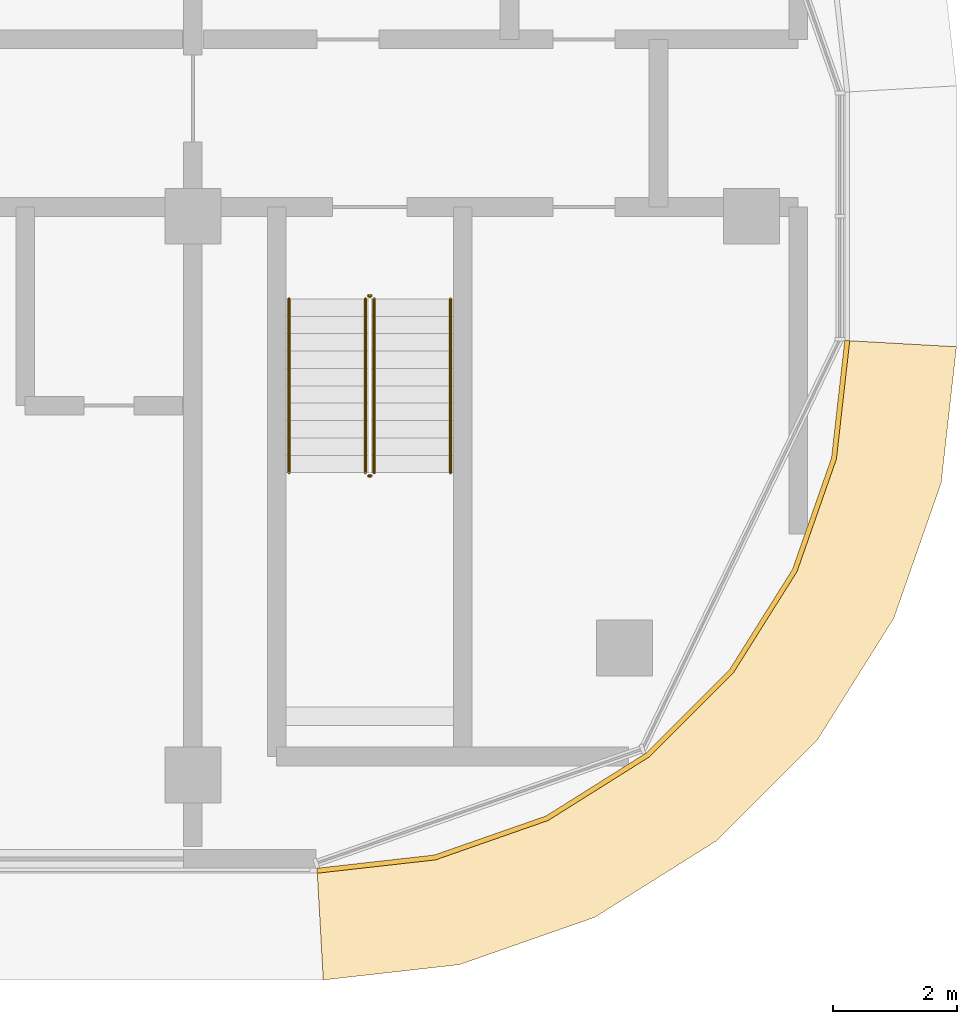
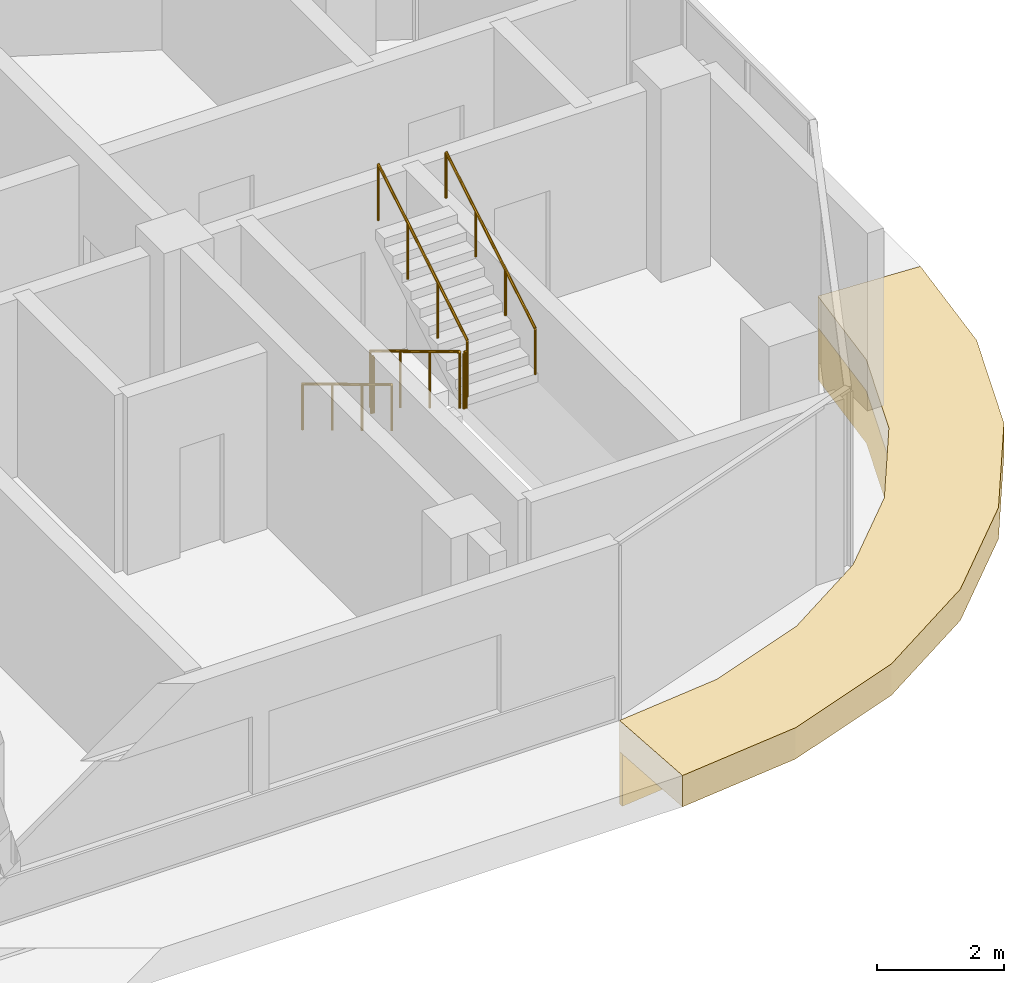
# One storey, part 20 of 21: 6 railings, 2 coverings.
"""IFC4 building model written with IfcOpenShell, lengths in metres."""

import ifcopenshell
import ifcopenshell.guid

model = None  # the IFC model being written
_history = None  # IfcOwnerHistory: only IFC2X3 demands one
_inside = {}  # id of a spatial element -> (the spatial element, [elements in it])
_under = {}  # id of a project, library or spatial element -> (it, [spatial elements below it])
_declared = {}  # id of a project -> (the project, [libraries it declares])
_typed = {}  # id of a type object -> (the type object, [elements of that type])
_made_of = {}  # id of a material, layer set ... -> (it, [elements and type objects made of it])


def new_model(schema):
    """Start an empty IFC model of exactly this schema.

    Asked for "IFC4X3", IfcOpenShell would pick the latest addendum, in which some entities
    have other attributes; the version numbers below select the first issue.
    IFC2X3 requires an IfcOwnerHistory on every rooted entity: one is made here for all.
    """
    global model, _history
    if schema == "IFC4X3":
        model = ifcopenshell.file(schema_version=(4, 3, 0, 0))
    else:
        model = ifcopenshell.file(schema=schema)
    _inside.clear()
    _under.clear()
    _declared.clear()
    _typed.clear()
    _made_of.clear()
    _history = None
    if model.schema == "IFC2X3":
        org = make("IfcOrganization", Name="unknown")
        user = make(
            "IfcPersonAndOrganization",
            ThePerson=make("IfcPerson", FamilyName="unknown"),
            TheOrganization=org,
        )
        app = make(
            "IfcApplication",
            ApplicationDeveloper=org,
            Version="unknown",
            ApplicationFullName="unknown",
            ApplicationIdentifier="unknown",
        )
        _history = make(
            "IfcOwnerHistory",
            OwningUser=user,
            OwningApplication=app,
            ChangeAction="ADDED",
            CreationDate=0,
        )
    return model


def make(cls, **values):
    """One entity of the class cls with the attributes given. An attribute that is None is left unset."""
    return model.create_entity(
        cls, **{name: value for name, value in values.items() if value is not None}
    )


def rooted(cls, **values):
    """An entity with a GlobalId (a new one), such as an element, a storey or a relation."""
    return make(cls, GlobalId=ifcopenshell.guid.new(), OwnerHistory=_history, **values)


def si_unit(unit_type, name, prefix=None):
    """IfcSIUnit, for example si_unit("LENGTHUNIT", "METRE", prefix="MILLI")."""
    return make("IfcSIUnit", UnitType=unit_type, Prefix=prefix, Name=name)


def assignment(units):
    """IfcUnitAssignment: the units of a project."""
    return None if units is None else make("IfcUnitAssignment", Units=units)


def point(xyz):
    """IfcCartesianPoint."""
    return None if xyz is None else make("IfcCartesianPoint", Coordinates=xyz)


def direction(xyz):
    """IfcDirection."""
    return None if xyz is None else make("IfcDirection", DirectionRatios=xyz)


def frame(location, z_axis=None, x_axis=None):
    """IfcAxis2Placement3D, a coordinate frame: its origin and axes. An axis left out is left unset."""
    return make(
        "IfcAxis2Placement3D",
        Location=point(location),
        Axis=direction(z_axis),
        RefDirection=direction(x_axis),
    )


def frame_2d(location, x_axis=None):
    """IfcAxis2Placement2D, a coordinate frame in the plane: its origin and x axis."""
    return make(
        "IfcAxis2Placement2D", Location=point(location), RefDirection=direction(x_axis)
    )


def origin():
    """The frame at (0, 0, 0) with its axes left unset."""
    return frame((0.0, 0.0, 0.0))


def origin_2d():
    """The frame at (0, 0) in the plane with its x axis left unset."""
    return frame_2d((0.0, 0.0))


def place(relative_to, where):
    """IfcLocalPlacement: puts the frame where relative to a parent placement (None: the world)."""
    return make(
        "IfcLocalPlacement", PlacementRelTo=relative_to, RelativePlacement=where
    )


def context(
    kind, dimensions, precision=None, world=None, true_north=None, identifier=None
):
    """IfcGeometricRepresentationContext, for example the 3D "Model" context."""
    return make(
        "IfcGeometricRepresentationContext",
        ContextIdentifier=identifier,
        ContextType=kind,
        CoordinateSpaceDimension=dimensions,
        Precision=precision,
        WorldCoordinateSystem=world,
        TrueNorth=true_north,
    )


def subcontext(parent, identifier, kind, view, scale=None):
    """IfcGeometricRepresentationSubContext, for example "Body" below "Model"."""
    return make(
        "IfcGeometricRepresentationSubContext",
        ContextIdentifier=identifier,
        ContextType=kind,
        ParentContext=parent,
        TargetScale=scale,
        TargetView=view,
    )


def project(units=None, contexts=None):
    """IfcProject with its units and contexts."""
    return rooted(
        "IfcProject",
        Name="project",
        RepresentationContexts=contexts,
        UnitsInContext=assignment(units),
    )


def spatial(cls, under=None, at=None, **own):
    """A site, building, storey or space (cls), placed at a placement, below another one or the project."""
    s = rooted(cls, ObjectPlacement=at, **own)
    if under is not None:
        _under.setdefault(under.id(), (under, []))[1].append(s)
    return s


def polyline(points):
    """IfcPolyline through the points."""
    return make("IfcPolyline", Points=[point(p) for p in points])


def profile(cls, at=None, kind="AREA", **sizes):
    """A parametric profile (cls). Its sizes go by their IFC names, for example OverallWidth=200.0."""
    return make(cls, ProfileType=kind, Position=at, **sizes)


def circle(**sizes):
    """IfcCircleProfileDef."""
    return profile("IfcCircleProfileDef", **sizes)


def outline(outer, holes=None, kind="AREA"):
    """IfcArbitraryClosedProfileDef: a profile drawn as a closed curve; with holes, ...WithVoids."""
    if holes is None:
        return make("IfcArbitraryClosedProfileDef", ProfileType=kind, OuterCurve=outer)
    return make(
        "IfcArbitraryProfileDefWithVoids",
        ProfileType=kind,
        OuterCurve=outer,
        InnerCurves=holes,
    )


def extrude(swept, where, along, depth):
    """IfcExtrudedAreaSolid: the profile swept, set in the frame where, extruded along a direction by depth."""
    return make(
        "IfcExtrudedAreaSolid",
        SweptArea=swept,
        Position=where,
        ExtrudedDirection=direction(along),
        Depth=depth,
    )


def shape(context_of_items, identifier, shape_type, items):
    """IfcShapeRepresentation: the items that make up one representation, for example the "Body"."""
    return make(
        "IfcShapeRepresentation",
        ContextOfItems=context_of_items,
        RepresentationIdentifier=identifier,
        RepresentationType=shape_type,
        Items=items,
    )


def material(Name=None, Category=None):
    """IfcMaterial."""
    return make("IfcMaterial", Name=Name, Category=Category)


def layer(
    of_material, thickness, ventilated=None, Name=None, Category=None, Priority=None
):
    """IfcMaterialLayer: one layer of a wall or slab, of a material (None: an air gap)."""
    return make(
        "IfcMaterialLayer",
        Material=of_material,
        LayerThickness=thickness,
        IsVentilated=ventilated,
        Name=Name,
        Category=Category,
        Priority=Priority,
    )


def layer_set(layers, Name=None):
    """IfcMaterialLayerSet."""
    return make("IfcMaterialLayerSet", MaterialLayers=layers, LayerSetName=Name)


def made_of(thing, what):
    """Note that an element or type object is made of a material, layer set ...; save() writes the relation."""
    if what is not None:
        _made_of.setdefault(what.id(), (what, []))[1].append(thing)
    return thing


def type_object(cls, material=None, **own):
    """A type object (cls), such as IfcWallType, which elements share."""
    return made_of(rooted(cls, **own), material)


def element(
    cls,
    number,
    at=None,
    inside=None,
    cuts=None,
    type_object=None,
    material=None,
    context=None,
    identifier="Body",
    shape_type=None,
    held_by="IfcProductDefinitionShape",
    body=None,
    shapes=None,
    **own,
):
    """One element of the class cls, such as IfcWall. Its Tag is "e" and its number.

    at: its placement. inside: the storey or other place that contains it. cuts: it is an
    opening in that element (IfcRelVoidsElement). A single representation is given by context,
    identifier, shape_type and body (its items); several are given by shapes. held_by: the class
    of the entity that holds the representations. save() writes the other relations.
    """
    e = rooted(cls, Tag="e%d" % number, ObjectPlacement=at, **own)
    if body is not None:
        shapes = [shape(context, identifier, shape_type, body)]
    if shapes is not None:
        e.Representation = make(held_by, Representations=shapes)
    if inside is not None:
        _inside.setdefault(inside.id(), (inside, []))[1].append(e)
    if cuts is not None:
        rooted(
            "IfcRelVoidsElement", RelatingBuildingElement=cuts, RelatedOpeningElement=e
        )
    if type_object is not None:
        _typed.setdefault(type_object.id(), (type_object, []))[1].append(e)
    return made_of(e, material)


def aggregate(whole, parts):
    """IfcRelAggregates: a whole, such as a stair, and the parts it consists of."""
    return rooted("IfcRelAggregates", RelatingObject=whole, RelatedObjects=parts)


def save(model, path):
    """Write the relations noted so far, then the file.

    IfcRelAggregates (storeys below a building ...), IfcRelContainedInSpatialStructure (elements
    in a storey), IfcRelDefinesByType, IfcRelAssociatesMaterial and IfcRelDeclares: one each for
    every whole, place, type object, material and project.
    """
    for whole, parts in _under.values():
        aggregate(whole, parts)
    for where, things in _inside.values():
        rooted(
            "IfcRelContainedInSpatialStructure",
            RelatedElements=things,
            RelatingStructure=where,
        )
    for kind, things in _typed.values():
        rooted("IfcRelDefinesByType", RelatedObjects=things, RelatingType=kind)
    for what, things in _made_of.values():
        rooted("IfcRelAssociatesMaterial", RelatedObjects=things, RelatingMaterial=what)
    for by, libraries in _declared.values():
        rooted("IfcRelDeclares", RelatingContext=by, RelatedDefinitions=libraries)
    model.write(path)


model = new_model("IFC4")

# Units and contexts
model_context = context("Model", 3, precision=1e-05, world=origin(), true_north=direction((0.0, 1.0)))
body_context = subcontext(model_context, "Body", "Model", "MODEL_VIEW")
ifc_project = project(units=[si_unit("LENGTHUNIT", "METRE"), si_unit("AREAUNIT", "SQUARE_METRE"), si_unit("VOLUMEUNIT", "CUBIC_METRE"), si_unit("PLANEANGLEUNIT", "RADIAN"), si_unit("MASSUNIT", "GRAM", prefix="KILO")], contexts=[model_context])

# Site, building, storey
site_placement = place(None, origin())
site = spatial("IfcSite", under=ifc_project, at=site_placement, CompositionType="ELEMENT")
building_placement = place(site_placement, origin())
building = spatial("IfcBuilding", under=site, at=building_placement, Name="Ogive Portal Towers", CompositionType="ELEMENT")
storey_placement = place(building_placement, frame((0.0, 0.0, 225.39990234375)))
storey = spatial("IfcBuildingStorey", under=building, at=storey_placement, Name="L56", CompositionType="ELEMENT", Elevation=225.39990234375)

# Railings
ifc_material_1 = material(Name="Stainless steel balustrade", Category="steel")
railing_type_1 = type_object("IfcRailingType", Name="INT-GUARD", PredefinedType="GUARDRAIL", material=ifc_material_1)
railing_1_placement = place(storey_placement, frame((88.280029296875, 29.169921875, 0.168212890625)))
element("IfcRailing", 1, at=railing_1_placement, inside=storey, type_object=railing_type_1, Name="L56 ST-A4 stair guard 1", PredefinedType="GUARDRAIL", context=body_context, shape_type="SweptSolid", body=[
    extrude(circle(Radius=0.02392578125, at=origin_2d()), frame((0.0, 0.0, 1.076171875), z_axis=(0.0, -0.857222391501, 0.514946377315), x_axis=(1.0, 0.0, 0.0)), (0.0, 0.0, 1.0), 3.26611328125),
    extrude(circle(Radius=0.02099609375, at=origin_2d()), origin(), (0.0, 0.0, 1.0), 1.052001953125),
    extrude(circle(Radius=0.02099609375, at=origin_2d()), frame((0.0, -0.933349609375, 0.560546875)), (0.0, 0.0, 1.0), 1.052001953125),
    extrude(circle(Radius=0.02099609375, at=origin_2d()), frame((0.0, -1.866455078125, 1.121337890625)), (0.0, 0.0, 1.0), 1.052001953125),
    extrude(circle(Radius=0.02099609375, at=origin_2d()), frame((0.0, -2.7998046875, 1.681884765625)), (0.0, 0.0, 1.0), 1.052001953125),
])
railing_2_placement = place(storey_placement, frame((88.330078125, 26.320068359375, 1.85009765625)))
element("IfcRailing", 2, at=railing_2_placement, inside=storey, type_object=railing_type_1, Name="L56 ST-A4 stair guard 2", PredefinedType="GUARDRAIL", context=body_context, shape_type="SweptSolid", body=[
    extrude(circle(Radius=0.02392578125, at=origin_2d()), frame((0.0, 0.0, 1.076171875), z_axis=(1.0, 0.0, 0.0), x_axis=(0.0, 1.0, 0.0)), (0.0, 0.0, 1.0), 0.0400390625),
    extrude(circle(Radius=0.02099609375, at=origin_2d()), origin(), (0.0, 0.0, 1.0), 1.052001953125),
    extrude(circle(Radius=0.02099609375, at=origin_2d()), frame((0.0400390625, 0.0, 0.0)), (0.0, 0.0, 1.0), 1.052001953125),
])
railing_3_placement = place(storey_placement, frame((88.419921875, 26.3701171875, 2.018310546875)))
element("IfcRailing", 3, at=railing_3_placement, inside=storey, type_object=railing_type_1, Name="L56 ST-A4 stair guard 3", PredefinedType="GUARDRAIL", context=body_context, shape_type="SweptSolid", body=[
    extrude(circle(Radius=0.02392578125, at=origin_2d()), frame((0.0, 0.0, 1.076171875), z_axis=(0.0, 0.857222391501, 0.514946377315), x_axis=(-1.0, 0.0, 0.0)), (0.0, 0.0, 1.0), 3.26611328125),
    extrude(circle(Radius=0.02099609375, at=origin_2d()), origin(), (0.0, 0.0, 1.0), 1.052001953125),
    extrude(circle(Radius=0.02099609375, at=origin_2d()), frame((0.0, 0.933349609375, 0.560546875)), (0.0, 0.0, 1.0), 1.052001953125),
    extrude(circle(Radius=0.02099609375, at=origin_2d()), frame((0.0, 1.866455078125, 1.121337890625)), (0.0, 0.0, 1.0), 1.052001953125),
    extrude(circle(Radius=0.02099609375, at=origin_2d()), frame((0.0, 2.7998046875, 1.681884765625)), (0.0, 0.0, 1.0), 1.052001953125),
])
railing_4_placement = place(storey_placement, frame((88.330078125, 29.219970703125, 0.0)))
element("IfcRailing", 4, at=railing_4_placement, inside=storey, type_object=railing_type_1, Name="L56 ST-A4 stair guard 4", PredefinedType="GUARDRAIL", context=body_context, shape_type="SweptSolid", body=[
    extrude(circle(Radius=0.02392578125, at=origin_2d()), frame((0.0, 0.0, 1.076171875), z_axis=(1.0, 0.0, 0.0), x_axis=(0.0, 1.0, 0.0)), (0.0, 0.0, 1.0), 0.0400390625),
    extrude(circle(Radius=0.02099609375, at=origin_2d()), origin(), (0.0, 0.0, 1.0), 1.052001953125),
    extrude(circle(Radius=0.02099609375, at=origin_2d()), frame((0.0400390625, 0.0, 0.0)), (0.0, 0.0, 1.0), 1.052001953125),
])
ifc_material_2 = material(Name="Stainless steel handrail", Category="steel")
railing_type_2 = type_object("IfcRailingType", Name="INT-HANDRAIL", PredefinedType="HANDRAIL", material=ifc_material_2)
railing_5_placement = place(storey_placement, frame((87.050048828125, 29.169921875, 0.168212890625)))
element("IfcRailing", 5, at=railing_5_placement, inside=storey, type_object=railing_type_2, Name="L56 ST-A4 stair handrail 1", PredefinedType="HANDRAIL", context=body_context, shape_type="SweptSolid", body=[
    extrude(circle(Radius=0.02392578125, at=origin_2d()), frame((0.0, 0.0, 0.8759765625), z_axis=(0.0, -0.857222391501, 0.514946377315), x_axis=(1.0, 0.0, 0.0)), (0.0, 0.0, 1.0), 3.26611328125),
    extrude(circle(Radius=0.02099609375, at=origin_2d()), origin(), (0.0, 0.0, 1.0), 0.851806640625),
    extrude(circle(Radius=0.02099609375, at=origin_2d()), frame((0.0, -0.933349609375, 0.560546875)), (0.0, 0.0, 1.0), 0.851806640625),
    extrude(circle(Radius=0.02099609375, at=origin_2d()), frame((0.0, -1.866455078125, 1.121337890625)), (0.0, 0.0, 1.0), 0.851806640625),
    extrude(circle(Radius=0.02099609375, at=origin_2d()), frame((0.0, -2.7998046875, 1.681884765625)), (0.0, 0.0, 1.0), 0.851806640625),
])
railing_6_placement = place(storey_placement, frame((89.64990234375, 26.3701171875, 2.018310546875)))
element("IfcRailing", 6, at=railing_6_placement, inside=storey, type_object=railing_type_2, Name="L56 ST-A4 stair handrail 2", PredefinedType="HANDRAIL", context=body_context, shape_type="SweptSolid", body=[
    extrude(circle(Radius=0.02392578125, at=origin_2d()), frame((0.0, 0.0, 0.8759765625), z_axis=(0.0, 0.857222391501, 0.514946377315), x_axis=(-1.0, 0.0, 0.0)), (0.0, 0.0, 1.0), 3.26611328125),
    extrude(circle(Radius=0.02099609375, at=origin_2d()), origin(), (0.0, 0.0, 1.0), 0.851806640625),
    extrude(circle(Radius=0.02099609375, at=origin_2d()), frame((0.0, 0.933349609375, 0.560546875)), (0.0, 0.0, 1.0), 0.851806640625),
    extrude(circle(Radius=0.02099609375, at=origin_2d()), frame((0.0, 1.866455078125, 1.121337890625)), (0.0, 0.0, 1.0), 0.851806640625),
    extrude(circle(Radius=0.02099609375, at=origin_2d()), frame((0.0, 2.7998046875, 1.681884765625)), (0.0, 0.0, 1.0), 0.851806640625),
])

# Coverings
ifc_material_3 = material(Name="Limestone cladding on lightweight block wall", Category="masonry")
ifc_layer_1 = layer(ifc_material_3, 0.080078125)
ifc_layer_set_1 = layer_set([ifc_layer_1], Name="STONE SPANDREL 80")
covering_type_1 = type_object("IfcCoveringType", Name="STONE SPANDREL 80", PredefinedType="CLADDING", material=ifc_layer_set_1)
covering_1_placement = place(storey_placement, frame((0.0, 0.0, -1.599853515625)))
element("IfcCovering", 7, at=covering_1_placement, inside=storey, type_object=covering_type_1, Name="Stone spandrel A1-F06", PredefinedType="CLADDING", context=body_context, shape_type="SweptSolid", body=[
    extrude(outline(polyline([(87.5, 20.0), (89.391357421875, 20.213134765625), (91.18798828125, 20.841796875), (92.799560546875, 21.8544921875), (94.1455078125, 23.200439453125), (95.158203125, 24.81201171875), (95.786865234375, 26.608642578125), (96.0, 28.5), (96.080078125, 28.49560546875), (95.865478515625, 26.590576171875), (95.230712890625, 24.777099609375), (94.20849609375, 23.150146484375), (92.849853515625, 21.79150390625), (91.222900390625, 20.769287109375), (89.409423828125, 20.134521484375), (87.50439453125, 19.919921875), (87.5, 20.0)])), origin(), (0.0, 0.0, 1.0), 1.0),
])
ifc_layer_2 = layer(ifc_material_3, 0.60009765625)
ifc_layer_set_2 = layer_set([ifc_layer_2], Name="SUNSHADE LIP 600")
covering_type_2 = type_object("IfcCoveringType", Name="SUNSHADE LIP 600", PredefinedType="CLADDING", material=ifc_layer_set_2)
covering_2_placement = place(storey_placement, frame((0.0, 0.0, -0.599853515625)))
element("IfcCovering", 8, at=covering_2_placement, inside=storey, type_object=covering_type_2, Name="Sunshade lip A1-F06", PredefinedType="CLADDING", context=body_context, shape_type="SweptSolid", body=[
    extrude(outline(polyline([(87.5, 20.0), (89.391357421875, 20.213134765625), (91.18798828125, 20.841796875), (92.799560546875, 21.8544921875), (94.1455078125, 23.200439453125), (95.158203125, 24.81201171875), (95.786865234375, 26.608642578125), (96.0, 28.5), (97.800048828125, 28.39892578125), (97.552978515625, 26.20556640625), (96.790283203125, 24.026123046875), (95.561767578125, 22.071044921875), (93.928955078125, 20.438232421875), (91.973876953125, 19.209716796875), (89.79443359375, 18.447021484375), (87.60107421875, 18.199951171875), (87.5, 20.0)])), origin(), (0.0, 0.0, 1.0), 0.599853515625),
])

save(model, "model.ifc")
